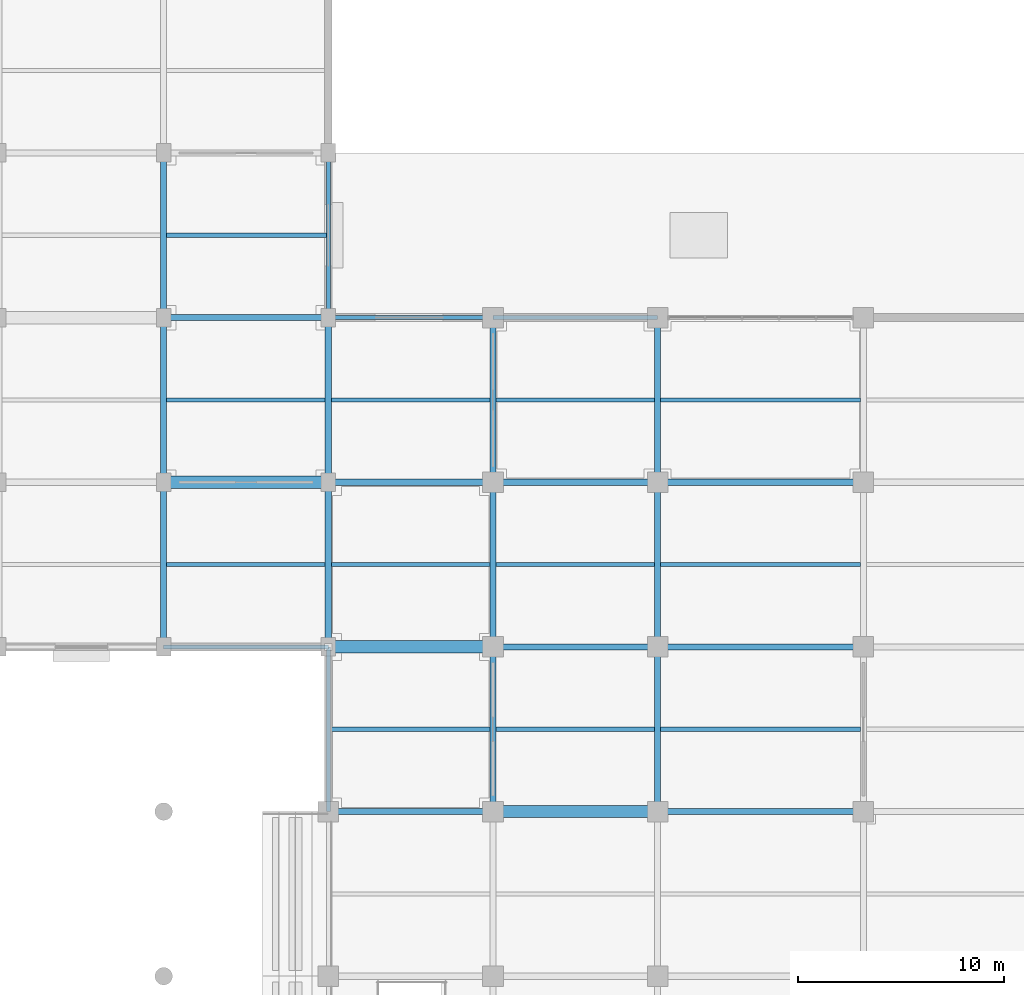
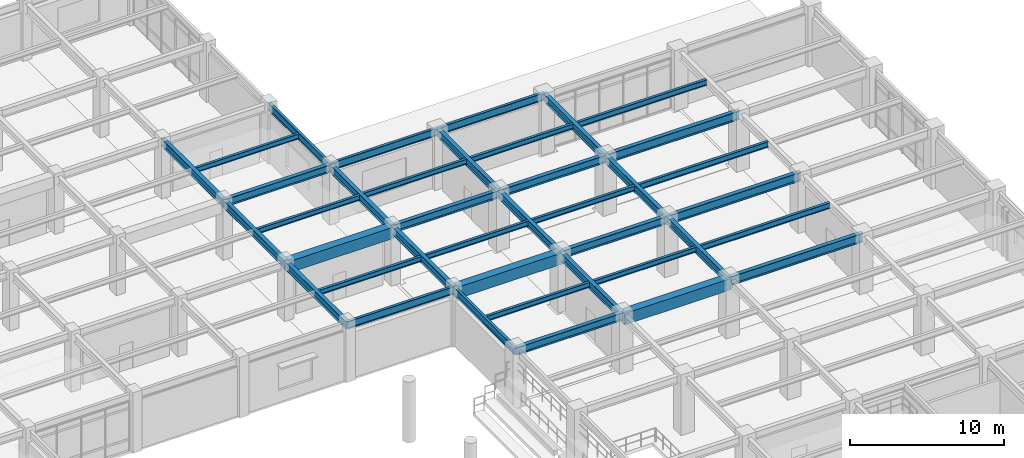
# One storey, part 53 of 117: 39 beams.
"""IFC4 building model written with IfcOpenShell, lengths in metres."""

from ifc_helpers import new_model, si_unit, direction, frame, origin, origin_2d, place, context, subcontext, project, spatial, rectangle, i_section, extrude, material, material_profile, profile_set, type_object, element, save


model = new_model("IFC4")

# Units and contexts
model_context = context("Model", 3, precision=1e-05, world=origin(), true_north=direction((0.0, 1.0)))
body_context = subcontext(model_context, "Body", "Model", "MODEL_VIEW")
ifc_project = project(units=[si_unit("LENGTHUNIT", "METRE"), si_unit("AREAUNIT", "SQUARE_METRE"), si_unit("VOLUMEUNIT", "CUBIC_METRE"), si_unit("PLANEANGLEUNIT", "RADIAN"), si_unit("MASSUNIT", "GRAM", prefix="KILO")], contexts=[model_context])

# Site, building, storey
site_placement = place(None, origin())
site = spatial("IfcSite", under=ifc_project, at=site_placement, CompositionType="ELEMENT")
building_placement = place(site_placement, origin())
building = spatial("IfcBuilding", under=site, at=building_placement, Name="Haebicheon Civic Stadium", CompositionType="ELEMENT")
storey_placement = place(building_placement, frame((0.0, 0.0, 4.800048828125)))
storey = spatial("IfcBuildingStorey", under=building, at=storey_placement, Name="L02", CompositionType="ELEMENT", Elevation=4.800048828125)

# Beams
ifc_material_1 = material(Name="Concrete C40/50", Category="concrete")
ifc_material_profile_1 = material_profile(ifc_material_1, rectangle(XDim=0.60009765625, YDim=0.89990234375, at=origin_2d()), Name="RC-BM-600x900")
ifc_profile_set_1 = profile_set([ifc_material_profile_1], Name="Concrete C40/50")
beam_type_1 = type_object("IfcBeamType", Name="BM-RC-600x900", PredefinedType="BEAM", material=ifc_profile_set_1)
for number, where, z_axis, x_axis, name in (
    (1, (192.0, 144.0, 4.070068359375), (1.0, 0.0, 0.0), (0.0, 1.0, 0.0), "L02 beam U/25-26"),
    (2, (200.0, 136.0, 4.070068359375), (1.0, 0.0, 0.0), (0.0, 1.0, 0.0), "L02 beam T/26-27"),
    (3, (208.0, 128.0, 4.070068359375), (1.0, 0.0, 0.0), (0.0, 1.0, 0.0), "L02 beam S/27-28"),
):
    element("IfcBeam", number, at=place(storey_placement, frame(where, z_axis=z_axis, x_axis=x_axis)), inside=storey, type_object=beam_type_1, material=ifc_profile_set_1, Name=name, PredefinedType="BEAM", context=body_context, shape_type="SweptSolid", body=[
        extrude(rectangle(XDim=0.60009765625, YDim=0.89990234375, at=origin_2d()), origin(), (0.0, 0.0, 1.0), 8.0),
    ])
ifc_material_2 = material(Name="Steel SM355 (S355)", Category="steel")
ifc_material_profile_2 = material_profile(ifc_material_2, i_section(OverallWidth=0.300048828125, OverallDepth=0.60009765625, WebThickness=0.011962890625, FlangeThickness=0.02001953125, at=origin_2d()), Name="H-600x300x12x20")
ifc_profile_set_2 = profile_set([ifc_material_profile_2], Name="Steel SM355 (S355)")
beam_type_2 = type_object("IfcBeamType", Name="BM-ST-H600A", PredefinedType="BEAM", material=ifc_profile_set_2)
for number, where, z_axis, x_axis, name in (
    (4, (192.0, 136.0, 4.219970703125), (0.0, 1.0, 0.0), (-1.0, 0.0, 0.0), "L02 girder 25/T-U"),
    (5, (192.0, 144.0, 4.219970703125), (0.0, 1.0, 0.0), (-1.0, 0.0, 0.0), "L02 girder 25/U-V"),
    (6, (192.0, 152.0, 4.219970703125), (0.0, 1.0, 0.0), (-1.0, 0.0, 0.0), "L02 girder 25/V-W"),
    (7, (200.0, 136.0, 4.219970703125), (0.0, 1.0, 0.0), (-1.0, 0.0, 0.0), "L02 girder 26/T-U"),
    (8, (200.0, 144.0, 4.219970703125), (0.0, 1.0, 0.0), (-1.0, 0.0, 0.0), "L02 girder 26/U-V"),
    (9, (208.0, 128.0, 4.219970703125), (0.0, 1.0, 0.0), (-1.0, 0.0, 0.0), "L02 girder 27/S-T"),
    (10, (208.0, 136.0, 4.219970703125), (0.0, 1.0, 0.0), (-1.0, 0.0, 0.0), "L02 girder 27/T-U"),
    (11, (208.0, 144.0, 4.280029296875), (0.0, 1.0, 0.0), (-1.0, 0.0, 0.0), "L02 girder 27/U-V"),
    (12, (216.0, 128.0, 4.219970703125), (0.0, 1.0, 0.0), (-1.0, 0.0, 0.0), "L02 girder 28/S-T"),
    (13, (216.0, 136.0, 4.219970703125), (0.0, 1.0, 0.0), (-1.0, 0.0, 0.0), "L02 girder 28/T-U"),
    (14, (216.0, 144.0, 4.280029296875), (0.0, 1.0, 0.0), (-1.0, 0.0, 0.0), "L02 girder 28/U-V"),
    (15, (192.0, 152.0, 4.219970703125), (1.0, 0.0, 0.0), (0.0, 1.0, 0.0), "L02 beam V/25-26"),
    (16, (200.0, 128.0, 4.219970703125), (1.0, 0.0, 0.0), (0.0, 1.0, 0.0), "L02 beam S/26-27"),
    (17, (200.0, 144.0, 4.219970703125), (1.0, 0.0, 0.0), (0.0, 1.0, 0.0), "L02 beam U/26-27"),
    (18, (208.0, 136.0, 4.219970703125), (1.0, 0.0, 0.0), (0.0, 1.0, 0.0), "L02 beam T/27-28"),
    (19, (208.0, 144.0, 4.219970703125), (1.0, 0.0, 0.0), (0.0, 1.0, 0.0), "L02 beam U/27-28"),
):
    element("IfcBeam", number, at=place(storey_placement, frame(where, z_axis=z_axis, x_axis=x_axis)), inside=storey, type_object=beam_type_2, material=ifc_profile_set_2, Name=name, PredefinedType="BEAM", context=body_context, shape_type="SweptSolid", body=[
        extrude(i_section(OverallWidth=0.300048828125, OverallDepth=0.60009765625, WebThickness=0.011962890625, FlangeThickness=0.02001953125, at=origin_2d()), origin(), (0.0, 0.0, 1.0), 8.0),
    ])
ifc_material_3 = material(Name="Steel SM490", Category="steel")
ifc_material_profile_3 = material_profile(ifc_material_3, i_section(OverallWidth=0.300048828125, OverallDepth=0.699951171875, WebThickness=0.012939453125, FlangeThickness=0.02392578125, at=origin_2d()), Name="H-700x300x13x24")
ifc_profile_set_3 = profile_set([ifc_material_profile_3], Name="Steel SM490")
beam_type_3 = type_object("IfcBeamType", Name="BM-ST-H700", PredefinedType="BEAM", material=ifc_profile_set_3)
for number, where, z_axis, x_axis, name in (
    (20, (216.0, 128.0, 4.169921875), (1.0, 0.0, 0.0), (0.0, 1.0, 0.0), "L02 beam S/28-29"),
    (21, (216.0, 136.0, 4.169921875), (1.0, 0.0, 0.0), (0.0, 1.0, 0.0), "L02 beam T/28-29"),
    (22, (216.0, 144.0, 4.169921875), (1.0, 0.0, 0.0), (0.0, 1.0, 0.0), "L02 beam U/28-29"),
):
    element("IfcBeam", number, at=place(storey_placement, frame(where, z_axis=z_axis, x_axis=x_axis)), inside=storey, type_object=beam_type_3, material=ifc_profile_set_3, Name=name, PredefinedType="BEAM", context=body_context, shape_type="SweptSolid", body=[
        extrude(i_section(OverallWidth=0.300048828125, OverallDepth=0.699951171875, WebThickness=0.012939453125, FlangeThickness=0.02392578125, at=origin_2d()), origin(), (0.0, 0.0, 1.0), 10.0),
    ])
ifc_material_4 = material(Name="Steel SM355 (S355)", Category="steel")
ifc_material_profile_4 = material_profile(ifc_material_4, i_section(OverallWidth=0.199951171875, OverallDepth=0.39990234375, WebThickness=0.008056640625, FlangeThickness=0.012939453125, at=origin_2d()), Name="H-400x200x8x13")
ifc_profile_set_4 = profile_set([ifc_material_profile_4], Name="Steel SM355 (S355)")
beam_type_4 = type_object("IfcBeamType", Name="JST-ST-H400", PredefinedType="JOIST", material=ifc_profile_set_4)
for number, where, z_axis, x_axis, name in (
    (23, (192.14990234375, 140.0, 4.320068359375), (1.0, 0.0, 0.0), (0.0, 1.0, 0.0), "L02 secondary joist 24-17"),
    (24, (192.14990234375, 148.0, 4.320068359375), (1.0, 0.0, 0.0), (0.0, 1.0, 0.0), "L02 secondary joist 24-18"),
):
    element("IfcBeam", number, at=place(storey_placement, frame(where, z_axis=z_axis, x_axis=x_axis)), inside=storey, type_object=beam_type_4, material=ifc_profile_set_4, Name=name, PredefinedType="JOIST", context=body_context, shape_type="SweptSolid", body=[
        extrude(i_section(OverallWidth=0.199951171875, OverallDepth=0.39990234375, WebThickness=0.008056640625, FlangeThickness=0.012939453125, at=origin_2d()), origin(), (0.0, 0.0, 1.0), 7.7001953125),
    ])
for number, where, z_axis, x_axis, name in (
    (25, (192.14990234375, 156.0, 4.320068359375), (1.0, 0.0, 0.0), (0.0, 1.0, 0.0), "L02 secondary joist 24-19"),
    (26, (200.10009765625, 132.0, 4.320068359375), (1.0, 0.0, 0.0), (0.0, 1.0, 0.0), "L02 secondary joist 25-16"),
):
    element("IfcBeam", number, at=place(storey_placement, frame(where, z_axis=z_axis, x_axis=x_axis)), inside=storey, type_object=beam_type_4, material=ifc_profile_set_4, Name=name, PredefinedType="JOIST", context=body_context, shape_type="SweptSolid", body=[
        extrude(i_section(OverallWidth=0.199951171875, OverallDepth=0.39990234375, WebThickness=0.008056640625, FlangeThickness=0.012939453125, at=origin_2d()), origin(), (0.0, 0.0, 1.0), 7.75),
    ])
for number, where, z_axis, x_axis, name in (
    (27, (200.14990234375, 140.0, 4.320068359375), (1.0, 0.0, 0.0), (0.0, 1.0, 0.0), "L02 secondary joist 25-17"),
    (28, (200.14990234375, 148.0, 4.3798828125), (1.0, 0.0, 0.0), (0.0, 1.0, 0.0), "L02 secondary joist 25-18"),
    (29, (208.14990234375, 132.0, 4.320068359375), (1.0, 0.0, 0.0), (0.0, 1.0, 0.0), "L02 secondary joist 26-16"),
    (30, (208.14990234375, 140.0, 4.320068359375), (1.0, 0.0, 0.0), (0.0, 1.0, 0.0), "L02 secondary joist 26-17"),
    (31, (208.14990234375, 148.0, 4.3798828125), (1.0, 0.0, 0.0), (0.0, 1.0, 0.0), "L02 secondary joist 26-18"),
):
    element("IfcBeam", number, at=place(storey_placement, frame(where, z_axis=z_axis, x_axis=x_axis)), inside=storey, type_object=beam_type_4, material=ifc_profile_set_4, Name=name, PredefinedType="JOIST", context=body_context, shape_type="SweptSolid", body=[
        extrude(i_section(OverallWidth=0.199951171875, OverallDepth=0.39990234375, WebThickness=0.008056640625, FlangeThickness=0.012939453125, at=origin_2d()), origin(), (0.0, 0.0, 1.0), 7.7001953125),
    ])
ifc_material_5 = material(Name="Steel SM355 (S355)", Category="steel")
ifc_material_profile_5 = material_profile(ifc_material_5, i_section(OverallWidth=0.199951171875, OverallDepth=0.449951171875, WebThickness=0.009033203125, FlangeThickness=0.013916015625, at=origin_2d()), Name="H-450x200x9x14")
ifc_profile_set_5 = profile_set([ifc_material_profile_5], Name="Steel SM355 (S355)")
beam_type_5 = type_object("IfcBeamType", Name="JST-ST-H450", PredefinedType="JOIST", material=ifc_profile_set_5)
for number, where, z_axis, x_axis, name in (
    (32, (216.14990234375, 132.0, 4.294921875), (1.0, 0.0, 0.0), (0.0, 1.0, 0.0), "L02 secondary joist 27-16"),
    (33, (216.14990234375, 140.0, 4.294921875), (1.0, 0.0, 0.0), (0.0, 1.0, 0.0), "L02 secondary joist 27-17"),
    (34, (216.14990234375, 148.0, 4.35498046875), (1.0, 0.0, 0.0), (0.0, 1.0, 0.0), "L02 secondary joist 27-18"),
):
    element("IfcBeam", number, at=place(storey_placement, frame(where, z_axis=z_axis, x_axis=x_axis)), inside=storey, type_object=beam_type_5, material=ifc_profile_set_5, Name=name, PredefinedType="JOIST", context=body_context, shape_type="SweptSolid", body=[
        extrude(i_section(OverallWidth=0.199951171875, OverallDepth=0.449951171875, WebThickness=0.009033203125, FlangeThickness=0.013916015625, at=origin_2d()), origin(), (0.0, 0.0, 1.0), 9.7001953125),
    ])
ifc_material_6 = material(Name="Steel SM355 (S355)", Category="steel")
ifc_material_profile_6 = material_profile(ifc_material_6, i_section(OverallWidth=0.199951171875, OverallDepth=0.60009765625, WebThickness=0.010986328125, FlangeThickness=0.01708984375, at=origin_2d()), Name="H-600x200x11x17")
ifc_profile_set_6 = profile_set([ifc_material_profile_6], Name="Steel SM355 (S355)")
beam_type_6 = type_object("IfcBeamType", Name="SPD-ST-H600B", PredefinedType="SPANDREL", material=ifc_profile_set_6)
for number, where, z_axis, x_axis, name in (
    (35, (200.0, 128.0, 4.219970703125), (0.0, 1.0, 0.0), (-1.0, 0.0, 0.0), "L02 girder 26/S-T"),
    (36, (200.0, 152.0, 4.219970703125), (0.0, 1.0, 0.0), (-1.0, 0.0, 0.0), "L02 girder 26/V-W"),
    (37, (192.0, 136.0, 4.219970703125), (1.0, 0.0, 0.0), (0.0, 1.0, 0.0), "L02 beam T/25-26"),
    (38, (200.0, 152.0, 4.280029296875), (1.0, 0.0, 0.0), (0.0, 1.0, 0.0), "L02 beam V/26-27"),
    (39, (208.0, 152.0, 4.280029296875), (1.0, 0.0, 0.0), (0.0, 1.0, 0.0), "L02 beam V/27-28"),
):
    element("IfcBeam", number, at=place(storey_placement, frame(where, z_axis=z_axis, x_axis=x_axis)), inside=storey, type_object=beam_type_6, material=ifc_profile_set_6, Name=name, PredefinedType="SPANDREL", context=body_context, shape_type="SweptSolid", body=[
        extrude(i_section(OverallWidth=0.199951171875, OverallDepth=0.60009765625, WebThickness=0.010986328125, FlangeThickness=0.01708984375, at=origin_2d()), origin(), (0.0, 0.0, 1.0), 8.0),
    ])

save(model, "model.ifc")
